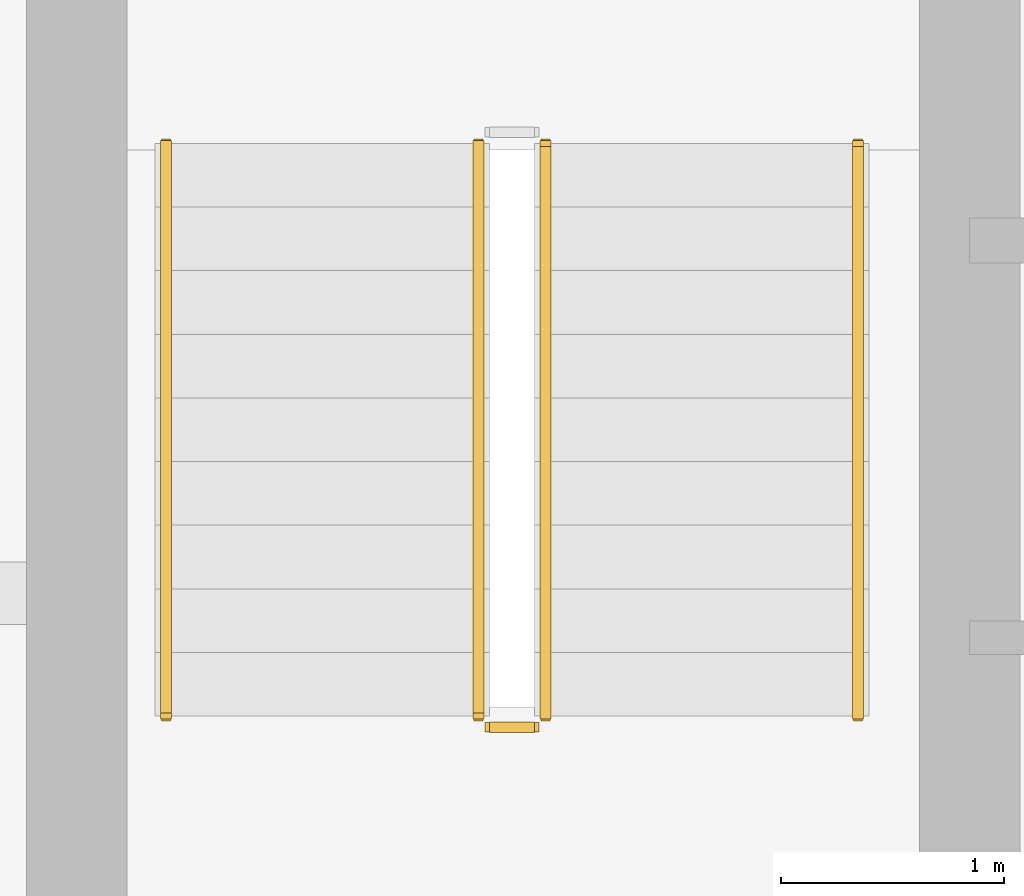
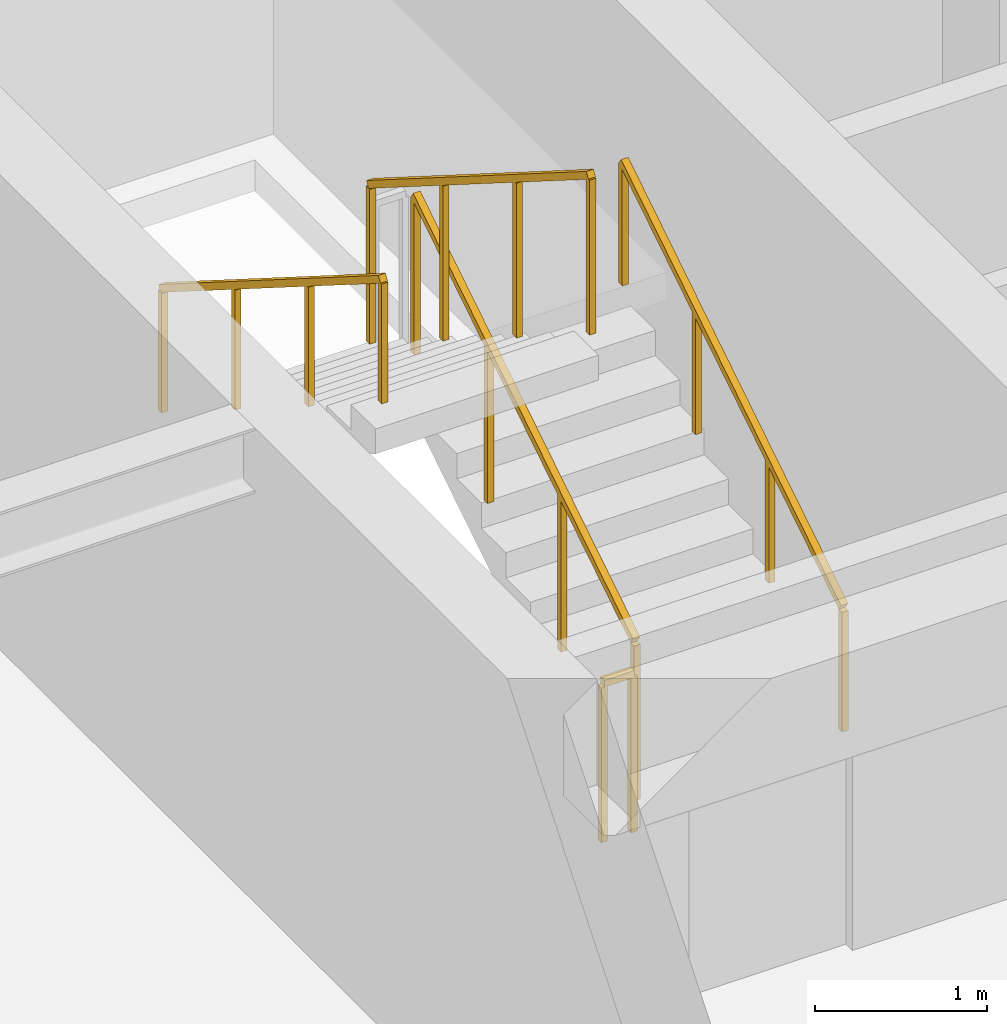
# One storey, part 26 of 28: 5 railings.
"""IFC4 building model written with IfcOpenShell, lengths in metres."""

from ifc_helpers import new_model, si_unit, direction, frame, origin, origin_2d, place, context, subcontext, project, spatial, rectangle, extrude, material, type_object, element, save


model = new_model("IFC4")

# Units and contexts
model_context = context("Model", 3, precision=1e-05, world=origin(), true_north=direction((0.0, 1.0)))
body_context = subcontext(model_context, "Body", "Model", "MODEL_VIEW")
ifc_project = project(units=[si_unit("LENGTHUNIT", "METRE"), si_unit("AREAUNIT", "SQUARE_METRE"), si_unit("VOLUMEUNIT", "CUBIC_METRE"), si_unit("PLANEANGLEUNIT", "RADIAN"), si_unit("MASSUNIT", "GRAM", prefix="KILO")], contexts=[model_context])

# Site, building, storey
site_placement = place(None, origin())
site = spatial("IfcSite", under=ifc_project, at=site_placement, CompositionType="ELEMENT")
building_placement = place(site_placement, origin())
building = spatial("IfcBuilding", under=site, at=building_placement, Name="Sarneth Arch Tower", CompositionType="ELEMENT")
storey_placement = place(building_placement, frame((0.0, 0.0, 190.199951171875)))
storey = spatial("IfcBuildingStorey", under=building, at=storey_placement, Name="L48", CompositionType="ELEMENT", Elevation=190.199951171875)

# Railings
ifc_material_1 = material(Name="Brushed Stainless Steel 304 tubular handrail", Category="steel")
railing_type_1 = type_object("IfcRailingType", Name="RAIL-HANDRAIL-900", PredefinedType="HANDRAIL", material=ifc_material_1)
railing_1_placement = place(storey_placement, frame((40.5, 41.449951171875, 0.179931640625)))
element("IfcRailing", 1, at=railing_1_placement, inside=storey, type_object=railing_type_1, Name="L48 ST-1 stair handrail 1", PredefinedType="HANDRAIL", context=body_context, shape_type="SweptSolid", body=[
    extrude(rectangle(XDim=0.048095703125, YDim=0.048095703125, at=origin_2d()), frame((0.0, 0.0, 0.8759765625), z_axis=(0.0, 0.845465955043, 0.534029323973), x_axis=(-1.0, 0.0, 0.0)), (0.0, 0.0, 1.0), 3.03369140625),
    extrude(rectangle(XDim=0.0419921875, YDim=0.0419921875, at=origin_2d()), origin(), (0.0, 0.0, 1.0), 0.851806640625),
    extrude(rectangle(XDim=0.0419921875, YDim=0.0419921875, at=origin_2d()), frame((0.0, 0.85498046875, 0.5400390625)), (0.0, 0.0, 1.0), 0.851806640625),
    extrude(rectangle(XDim=0.0419921875, YDim=0.0419921875, at=origin_2d()), frame((0.0, 1.7099609375, 1.080078125)), (0.0, 0.0, 1.0), 0.851806640625),
    extrude(rectangle(XDim=0.0419921875, YDim=0.0419921875, at=origin_2d()), frame((0.0, 2.56494140625, 1.6201171875)), (0.0, 0.0, 1.0), 0.851806640625),
])
railing_2_placement = place(storey_placement, frame((37.39990234375, 44.014892578125, 1.97998046875)))
element("IfcRailing", 2, at=railing_2_placement, inside=storey, type_object=railing_type_1, Name="L48 ST-1 stair handrail 2", PredefinedType="HANDRAIL", context=body_context, shape_type="SweptSolid", body=[
    extrude(rectangle(XDim=0.048095703125, YDim=0.048095703125, at=origin_2d()), frame((0.0, 0.0, 0.8759765625), z_axis=(0.0, -0.845465955043, 0.534029323973), x_axis=(1.0, 0.0, 0.0)), (0.0, 0.0, 1.0), 3.03369140625),
    extrude(rectangle(XDim=0.0419921875, YDim=0.0419921875, at=origin_2d()), origin(), (0.0, 0.0, 1.0), 0.851806640625),
    extrude(rectangle(XDim=0.0419921875, YDim=0.0419921875, at=origin_2d()), frame((0.0, -0.85498046875, 0.5400390625)), (0.0, 0.0, 1.0), 0.851806640625),
    extrude(rectangle(XDim=0.0419921875, YDim=0.0419921875, at=origin_2d()), frame((0.0, -1.7099609375, 1.080078125)), (0.0, 0.0, 1.0), 0.851806640625),
    extrude(rectangle(XDim=0.0419921875, YDim=0.0419921875, at=origin_2d()), frame((0.0, -2.56494140625, 1.6201171875)), (0.0, 0.0, 1.0), 0.851806640625),
])
ifc_material_2 = material(Name="Painted Steel S275 stair well guard", Category="steel")
railing_type_2 = type_object("IfcRailingType", Name="RAIL-STAIR-GUARD", PredefinedType="GUARDRAIL", material=ifc_material_2)
railing_3_placement = place(storey_placement, frame((39.10009765625, 41.449951171875, 0.179931640625)))
element("IfcRailing", 3, at=railing_3_placement, inside=storey, type_object=railing_type_2, Name="L48 ST-1 stair guard 1", PredefinedType="GUARDRAIL", context=body_context, shape_type="SweptSolid", body=[
    extrude(rectangle(XDim=0.048095703125, YDim=0.048095703125, at=origin_2d()), frame((0.0, 0.0, 1.1259765625), z_axis=(0.0, 0.845465955043, 0.534029323973), x_axis=(-1.0, 0.0, 0.0)), (0.0, 0.0, 1.0), 3.03369140625),
    extrude(rectangle(XDim=0.0419921875, YDim=0.0419921875, at=origin_2d()), origin(), (0.0, 0.0, 1.0), 1.101806640625),
    extrude(rectangle(XDim=0.0419921875, YDim=0.0419921875, at=origin_2d()), frame((0.0, 0.85498046875, 0.5400390625)), (0.0, 0.0, 1.0), 1.101806640625),
    extrude(rectangle(XDim=0.0419921875, YDim=0.0419921875, at=origin_2d()), frame((0.0, 1.7099609375, 1.080078125)), (0.0, 0.0, 1.0), 1.101806640625),
    extrude(rectangle(XDim=0.0419921875, YDim=0.0419921875, at=origin_2d()), frame((0.0, 2.56494140625, 1.6201171875)), (0.0, 0.0, 1.0), 1.101806640625),
])
railing_4_placement = place(storey_placement, frame((38.800048828125, 44.014892578125, 1.97998046875)))
element("IfcRailing", 4, at=railing_4_placement, inside=storey, type_object=railing_type_2, Name="L48 ST-1 stair guard 3", PredefinedType="GUARDRAIL", context=body_context, shape_type="SweptSolid", body=[
    extrude(rectangle(XDim=0.048095703125, YDim=0.048095703125, at=origin_2d()), frame((0.0, 0.0, 1.1259765625), z_axis=(0.0, -0.845465955043, 0.534029323973), x_axis=(1.0, 0.0, 0.0)), (0.0, 0.0, 1.0), 3.03369140625),
    extrude(rectangle(XDim=0.0419921875, YDim=0.0419921875, at=origin_2d()), origin(), (0.0, 0.0, 1.0), 1.101806640625),
    extrude(rectangle(XDim=0.0419921875, YDim=0.0419921875, at=origin_2d()), frame((0.0, -0.85498046875, 0.5400390625)), (0.0, 0.0, 1.0), 1.101806640625),
    extrude(rectangle(XDim=0.0419921875, YDim=0.0419921875, at=origin_2d()), frame((0.0, -1.7099609375, 1.080078125)), (0.0, 0.0, 1.0), 1.101806640625),
    extrude(rectangle(XDim=0.0419921875, YDim=0.0419921875, at=origin_2d()), frame((0.0, -2.56494140625, 1.6201171875)), (0.0, 0.0, 1.0), 1.101806640625),
])
railing_5_placement = place(storey_placement, frame((39.050048828125, 41.39990234375, 0.0)))
element("IfcRailing", 5, at=railing_5_placement, inside=storey, type_object=railing_type_2, Name="L48 ST-1 stair guard 4", PredefinedType="GUARDRAIL", context=body_context, shape_type="SweptSolid", body=[
    extrude(rectangle(XDim=0.048095703125, YDim=0.048095703125, at=origin_2d()), frame((0.0, 0.0, 1.1259765625), z_axis=(-1.0, 0.0, 0.0), x_axis=(0.0, -1.0, 0.0)), (0.0, 0.0, 1.0), 0.199951171875),
    extrude(rectangle(XDim=0.0419921875, YDim=0.0419921875, at=origin_2d()), origin(), (0.0, 0.0, 1.0), 1.101806640625),
    extrude(rectangle(XDim=0.0419921875, YDim=0.0419921875, at=origin_2d()), frame((-0.199951171875, 0.0, 0.0)), (0.0, 0.0, 1.0), 1.101806640625),
])

save(model, "model.ifc")
